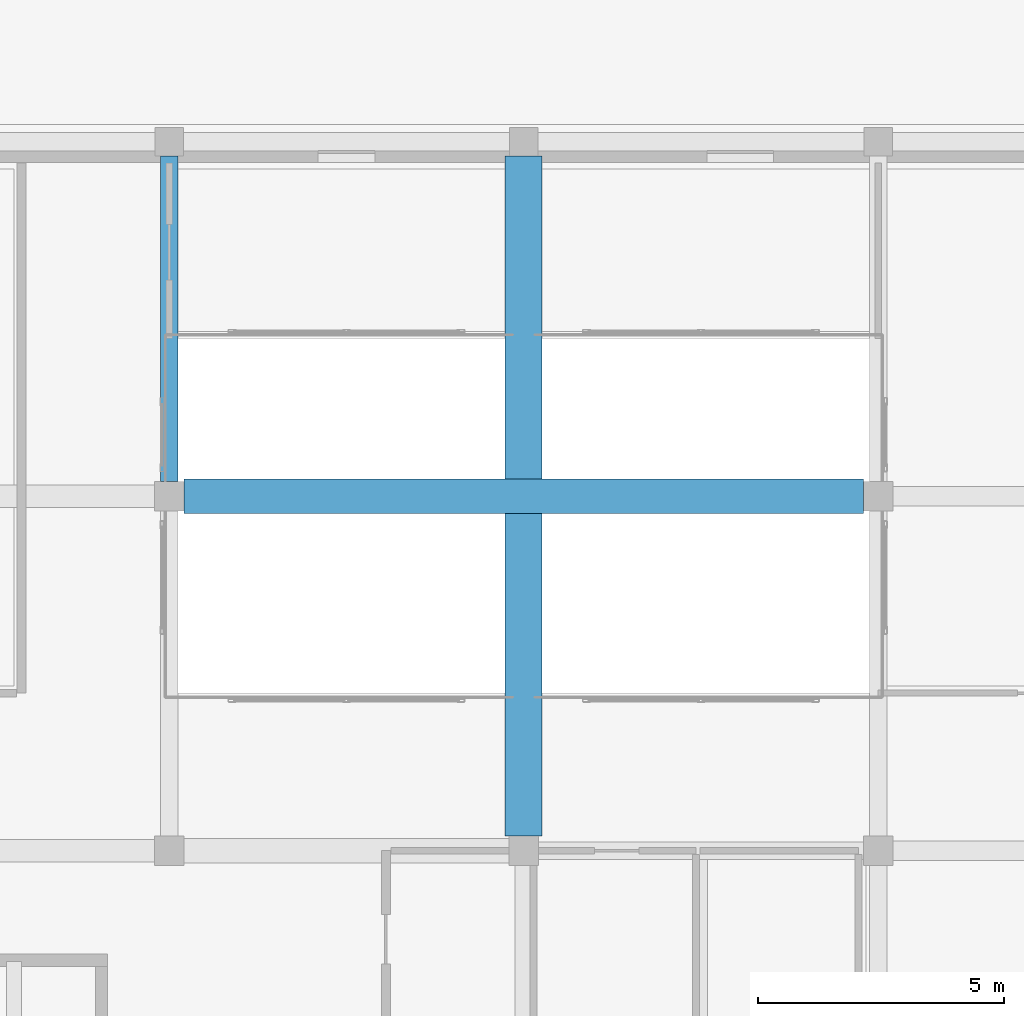
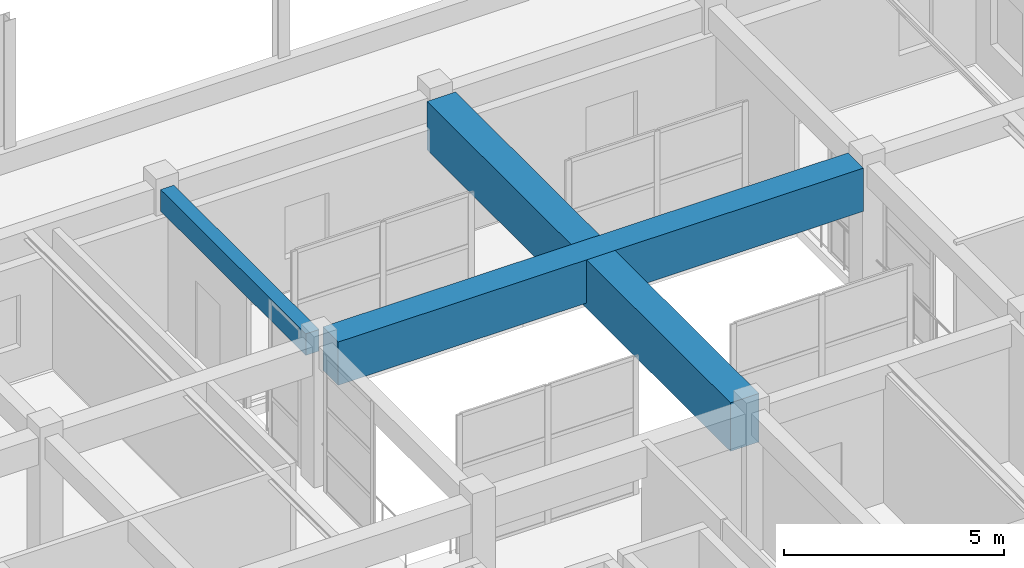
# One storey, part 36 of 99: 3 beams.
"""IFC4 building model written with IfcOpenShell, lengths in metres."""

from ifc_helpers import new_model, si_unit, direction, frame, origin, origin_2d, place, context, subcontext, project, spatial, rectangle, extrude, material, material_profile, profile_set, type_object, element, save


model = new_model("IFC4")

# Units and contexts
model_context = context("Model", 3, precision=1e-05, world=origin(), true_north=direction((0.0, 1.0)))
body_context = subcontext(model_context, "Body", "Model", "MODEL_VIEW")
ifc_project = project(units=[si_unit("LENGTHUNIT", "METRE"), si_unit("AREAUNIT", "SQUARE_METRE"), si_unit("VOLUMEUNIT", "CUBIC_METRE"), si_unit("PLANEANGLEUNIT", "RADIAN"), si_unit("MASSUNIT", "GRAM", prefix="KILO")], contexts=[model_context])

# Site, building, storey
site_placement = place(None, origin())
site = spatial("IfcSite", under=ifc_project, at=site_placement, CompositionType="ELEMENT")
building_placement = place(site_placement, origin())
building = spatial("IfcBuilding", under=site, at=building_placement, Name="Bramveld Media Centre", CompositionType="ELEMENT")
storey_placement = place(building_placement, frame((0.0, 0.0, 13.800048828125)))
storey = spatial("IfcBuildingStorey", under=building, at=storey_placement, Name="L03", CompositionType="ELEMENT", Elevation=13.800048828125)

# Beams
ifc_material_1 = material(Name="Concrete C40/50", Category="concrete")
ifc_material_profile_1 = material_profile(ifc_material_1, rectangle(XDim=0.35009765625, YDim=0.60009765625, at=origin_2d()), Name="RC 350x600")
ifc_profile_set_1 = profile_set([ifc_material_profile_1], Name="Concrete C40/50")
beam_type_1 = type_object("IfcBeamType", Name="BM-INT-RC-350x600", PredefinedType="BEAM", material=ifc_profile_set_1)
beam_1_placement = place(storey_placement, frame((80.0, 105.10009765625, 3.579833984375), z_axis=(0.0, 1.0, 0.0), x_axis=(-1.0, 0.0, 0.0)))
element("IfcBeam", 1, at=beam_1_placement, inside=storey, type_object=beam_type_1, Name="V6 L03 girder Y-1159", PredefinedType="BEAM", context=body_context, shape_type="SweptSolid", body=[
    extrude(rectangle(XDim=0.35009765625, YDim=0.60009765625, at=origin_2d()), origin(), (0.0, 0.0, 1.0), 6.60986328125),
])
ifc_material_2 = material(Name="Concrete C40/50", Category="concrete")
ifc_material_profile_2 = material_profile(ifc_material_2, rectangle(XDim=0.699951171875, YDim=1.199951171875, at=origin_2d()), Name="RC 700x1200")
ifc_profile_set_2 = profile_set([ifc_material_profile_2], Name="Concrete C40/50")
beam_type_2 = type_object("IfcBeamType", Name="BM-INT-RC-700x1200", PredefinedType="BEAM", material=ifc_profile_set_2)
beam_2_placement = place(storey_placement, frame((80.300048828125, 104.800048828125, 3.280029296875), z_axis=(1.0, 0.0, 0.0), x_axis=(0.0, 1.0, 0.0)))
element("IfcBeam", 2, at=beam_2_placement, inside=storey, type_object=beam_type_2, Name="V6 L03 girder X-1146", PredefinedType="BEAM", context=body_context, shape_type="SweptSolid", body=[
    extrude(rectangle(XDim=0.699951171875, YDim=1.199951171875, at=origin_2d()), origin(), (0.0, 0.0, 1.0), 13.800048828125),
])
ifc_material_3 = material(Name="Concrete C40/50", Category="concrete")
ifc_material_profile_3 = material_profile(ifc_material_3, rectangle(XDim=0.75, YDim=1.35009765625, at=origin_2d()), Name="RC 750x1350")
ifc_profile_set_3 = profile_set([ifc_material_profile_3], Name="Concrete C40/50")
beam_type_3 = type_object("IfcBeamType", Name="BM-INT-RC-750x1350", PredefinedType="BEAM", material=ifc_profile_set_3)
beam_3_placement = place(storey_placement, frame((87.199951171875, 97.89990234375, 3.204833984375), z_axis=(0.0, 1.0, 0.0), x_axis=(-1.0, 0.0, 0.0)))
element("IfcBeam", 3, at=beam_3_placement, inside=storey, type_object=beam_type_3, Name="V6 L03 girder Y-1161", PredefinedType="BEAM", context=body_context, shape_type="SweptSolid", body=[
    extrude(rectangle(XDim=0.75, YDim=1.35009765625, at=origin_2d()), origin(), (0.0, 0.0, 1.0), 13.81005859375),
])

save(model, "model.ifc")
